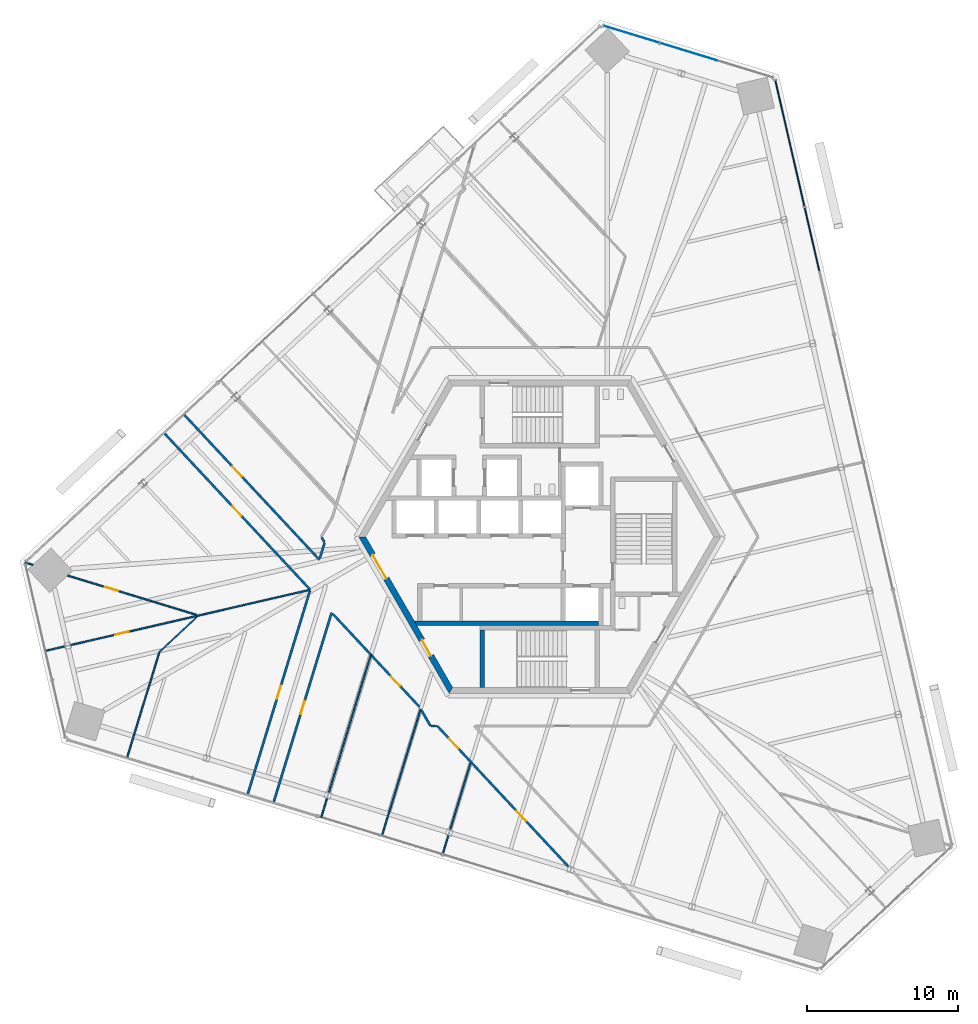
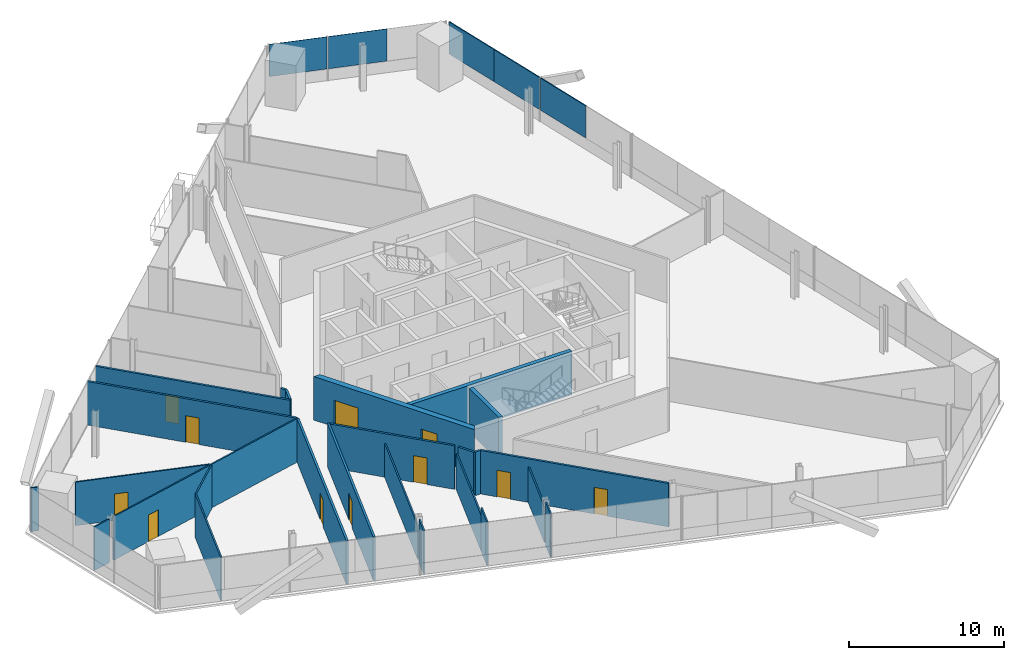
# One storey, part 11 of 18: 25 walls, 11 doors, 5 plates, 11 openings, 2 elements without a shape of their own.
"""IFC4 building model written with IfcOpenShell, lengths in metres."""

from ifc_helpers import new_model, si_unit, direction, frame, frame_2d, origin, origin_2d, place, context, subcontext, project, spatial, polyline, rectangle, outline, extrude, source, transform, mapped, material, layer, layer_set, type_object, element, fill, aggregate, save


model = new_model("IFC4")

# Units and contexts
model_context = context("Model", 3, precision=1e-05, world=origin(), true_north=direction((0.0, 1.0)))
body_context = subcontext(model_context, "Body", "Model", "MODEL_VIEW")
ifc_project = project(units=[si_unit("LENGTHUNIT", "METRE"), si_unit("AREAUNIT", "SQUARE_METRE"), si_unit("VOLUMEUNIT", "CUBIC_METRE"), si_unit("PLANEANGLEUNIT", "RADIAN"), si_unit("MASSUNIT", "GRAM", prefix="KILO")], contexts=[model_context])

# Site, building, storey
site_placement = place(None, origin())
site = spatial("IfcSite", under=ifc_project, at=site_placement, CompositionType="ELEMENT")
building_placement = place(site_placement, origin())
building = spatial("IfcBuilding", under=site, at=building_placement, Name="Triune Harvest Tower", CompositionType="ELEMENT")
storey_placement = place(building_placement, frame((0.0, 0.0, 101.89990234375)))
storey = spatial("IfcBuildingStorey", under=building, at=storey_placement, Name="L25", CompositionType="ELEMENT", Elevation=101.89990234375)

# Curtain wall, plates
ifc_material_1 = material(Name="Aluminium bronze anodised", Category="aluminium")
curtain_wall_type_1 = type_object("IfcCurtainWallType", Name="CW-1 Tower stick curtain wall", PredefinedType="NOTDEFINED", material=ifc_material_1)
curtain_wall_1_placement = place(storey_placement, origin())
curtain_wall_1 = element("IfcCurtainWall", 1, at=curtain_wall_1_placement, inside=storey, type_object=curtain_wall_type_1, Name="CW-1 B3-F2 L25 run 1")
ifc_material_2 = material(Name="Glass", Category="glass")
ifc_layer_1 = layer(ifc_material_2, 0.031982421875)
ifc_layer_set_1 = layer_set([ifc_layer_1], Name="Glass")
plate_type_1 = type_object("IfcPlateType", Name="GL-1 panel 32", PredefinedType="CURTAIN_PANEL", material=ifc_layer_set_1)
shared_shape_1 = source(origin(), body_context, "Body", "SweptSolid", [
    extrude(rectangle(XDim=3.911376953125, YDim=0.031982421875, at=origin_2d()), origin(), (0.0, 0.0, 1.0), 2.5400390625),
])
plate_1_placement = place(storey_placement, frame((9.851318359375, 32.15771484375, 0.900146484375), z_axis=(0.0, 0.0, 1.0), x_axis=(-0.956303148607, 0.292376962095, 0.0)))
plate_1 = element("IfcPlate", 2, at=plate_1_placement, type_object=plate_type_1, Name="CW-1 panel B3-F2 1.2", PredefinedType="CURTAIN_PANEL", context=body_context, shape_type="MappedRepresentation", body=[
    mapped(shared_shape_1, transform((0.0, 0.0, 0.0), scale=1.0)),
])
shared_shape_2 = source(origin(), body_context, "Body", "SweptSolid", [
    extrude(rectangle(XDim=3.83642578125, YDim=0.031982421875, at=origin_2d()), origin(), (0.0, 0.0, 1.0), 2.5400390625),
])
plate_2_placement = place(storey_placement, frame((6.07470703125, 33.312255859375, 0.900146484375), z_axis=(0.0, 0.0, 1.0), x_axis=(-0.956303148607, 0.292376962095, 0.0)))
plate_2 = element("IfcPlate", 3, at=plate_2_placement, type_object=plate_type_1, Name="CW-1 panel B3-F2 1.3", PredefinedType="CURTAIN_PANEL", context=body_context, shape_type="MappedRepresentation", body=[
    mapped(shared_shape_2, transform((0.0, 0.0, 0.0), scale=1.0)),
])
aggregate(curtain_wall_1, [plate_1, plate_2])

ifc_material_3 = material(Name="Aluminium bronze anodised", Category="aluminium")
curtain_wall_type_2 = type_object("IfcCurtainWallType", Name="CW-7 Tower stick curtain wall with insulated spandrel infill", PredefinedType="NOTDEFINED", material=ifc_material_3)
curtain_wall_2_placement = place(storey_placement, origin())
curtain_wall_2 = element("IfcCurtainWall", 4, at=curtain_wall_2_placement, inside=storey, type_object=curtain_wall_type_2, Name="CW-7 B3-F1 L25 run 2001")
ifc_material_4 = material(Name="Insulated spandrel panel, bronze aluminium pan", Category="aluminium")
ifc_layer_2 = layer(ifc_material_4, 0.080078125)
ifc_layer_set_2 = layer_set([ifc_layer_2], Name="Insulated spandrel panel, bronze aluminium pan")
plate_type_2 = type_object("IfcPlateType", Name="SP-1 insulated spandrel panel 80", PredefinedType="CURTAIN_PANEL", material=ifc_layer_set_2)
shared_shape_3 = source(origin(), body_context, "Body", "SweptSolid", [
    extrude(rectangle(XDim=4.263427734375, YDim=0.080078125, at=origin_2d()), origin(), (0.0, 0.0, 1.0), 2.5400390625),
])
plate_3_placement = place(storey_placement, frame((16.1005859375, 28.167236328125, 0.900146484375), z_axis=(0.0, 0.0, 1.0), x_axis=(-0.224950777946, 0.974370128597, 0.0)))
plate_3 = element("IfcPlate", 5, at=plate_3_placement, type_object=plate_type_2, Name="CW-7 panel B3-F1 2001.4", PredefinedType="CURTAIN_PANEL", context=body_context, shape_type="MappedRepresentation", body=[
    mapped(shared_shape_3, transform((0.0, 0.0, 0.0), scale=1.0)),
])
shared_shape_4 = source(origin(), body_context, "Body", "SweptSolid", [
    extrude(rectangle(XDim=4.30078125, YDim=0.080078125, at=origin_2d()), origin(), (0.0, 0.0, 1.0), 2.5400390625),
])
plate_4_placement = place(storey_placement, frame((18.04833984375, 19.731201171875, 0.900146484375), z_axis=(0.0, 0.0, 1.0), x_axis=(-0.224950777946, 0.974370128597, 0.0)))
plate_4 = element("IfcPlate", 6, at=plate_4_placement, type_object=plate_type_2, Name="CW-7 panel B3-F1 2001.2", PredefinedType="CURTAIN_PANEL", context=body_context, shape_type="MappedRepresentation", body=[
    mapped(shared_shape_4, transform((0.0, 0.0, 0.0), scale=1.0)),
])
plate_5_placement = place(storey_placement, frame((17.06396484375, 23.994873046875, 0.900146484375), z_axis=(0.0, 0.0, 1.0), x_axis=(-0.224950777946, 0.974370128597, 0.0)))
plate_5 = element("IfcPlate", 7, at=plate_5_placement, type_object=plate_type_2, Name="CW-7 panel B3-F1 2001.3", PredefinedType="CURTAIN_PANEL", context=body_context, shape_type="MappedRepresentation", body=[
    mapped(shared_shape_4, transform((0.0, 0.0, 0.0), scale=1.0)),
])
aggregate(curtain_wall_2, [plate_4, plate_5, plate_3])

# Walls
ifc_material_5 = material(Name="Gypsum board on steel studs", Category="steel")
ifc_layer_3 = layer(ifc_material_5, 0.14990234375)
ifc_layer_set_3 = layer_set([ifc_layer_3], Name="Gypsum board on steel studs")
wall_type_1 = type_object("IfcWallType", Name="Fire Partition 150 mm", PredefinedType="PARTITIONING", material=ifc_layer_set_3)
wall_1_placement = place(storey_placement, frame((-14.45751953125, -0.044189453125, 0.0), z_axis=(0.0, 0.0, 1.0), x_axis=(0.500016891966, -0.866015650984, 0.0)))
element("IfcWall", 8, at=wall_1_placement, inside=storey, type_object=wall_type_1, Name="Partition L25 001", PredefinedType="PARTITIONING", context=body_context, shape_type="SweptSolid", body=[
    extrude(rectangle(XDim=0.35888671875, YDim=0.14990234375, at=frame_2d((0.179443359375, 0.0))), origin(), (0.0, 0.0, 1.0), 3.440185546875),
])
wall_2_placement = place(storey_placement, frame((-7.837890625, -11.510498046875, 0.0), z_axis=(0.0, 0.0, 1.0), x_axis=(0.499953126767, -0.866052464367, 0.0)))
element("IfcWall", 9, at=wall_2_placement, inside=storey, type_object=wall_type_1, Name="Partition L25 002", PredefinedType="PARTITIONING", context=body_context, shape_type="SweptSolid", body=[
    extrude(rectangle(XDim=1.19091796875, YDim=0.14990234375, at=frame_2d((0.595458984375, 0.0))), origin(), (0.0, 0.0, 1.0), 3.440185546875),
])

# Wall, opening, door
wall_3_placement = place(storey_placement, frame((-24.90966796875, 6.8857421875, 0.0), z_axis=(0.0, 0.0, 1.0), x_axis=(0.681998855031, -0.731353240053, 0.0)))
wall_3 = element("IfcWall", 10, at=wall_3_placement, inside=storey, type_object=wall_type_1, Name="Partition L25 004", PredefinedType="PARTITIONING", context=body_context, shape_type="SweptSolid", body=[
    extrude(rectangle(XDim=14.1376953125, YDim=0.14990234375, at=frame_2d((7.06884765625, 0.0))), origin(), (0.0, 0.0, 1.0), 3.440185546875),
])
opening_1_placement = place(wall_3_placement, frame((6.650146484375, 0.0, 0.0)))
opening_1 = element("IfcOpeningElement", 11, at=opening_1_placement, cuts=wall_3, Name="Opening L25-009", PredefinedType="OPENING", context=body_context, shape_type="SweptSolid", body=[
    extrude(rectangle(XDim=0.89990234375, YDim=2.10009765625, at=frame_2d((0.449951171875, 1.050048828125))), frame((0.0, 0.0849609375, 0.0), z_axis=(0.0, -1.0, 0.0), x_axis=(1.0, 0.0, 0.0)), (0.0, 0.0, 1.0), 0.169921875),
])
ifc_material_6 = material(Name="Timber and steel door set", Category="steel")
door_type_1 = type_object("IfcDoorType", Name="Single leaf door FD30 right hand 900 x 2100", OperationType="SINGLE_SWING_RIGHT", PredefinedType="DOOR", material=ifc_material_6)
door_1_placement = place(opening_1_placement, origin())
door_1 = element("IfcDoor", 12, at=door_1_placement, inside=storey, type_object=door_type_1, Name="Door L25-009 Office 25.09", OperationType="SINGLE_SWING_RIGHT", OverallHeight=2.10009765625, OverallWidth=0.89990234375, PredefinedType="DOOR", context=body_context, shape_type="SweptSolid", body=[
    extrude(rectangle(XDim=0.89990234375, YDim=2.10009765625, at=frame_2d((0.449951171875, 1.050048828125))), frame((0.0, 0.02490234375, 0.0), z_axis=(0.0, -1.0, 0.0), x_axis=(1.0, 0.0, 0.0)), (0.0, 0.0, 1.0), 0.050048828125),
])
fill(opening_1, door_1)

wall_4_placement = place(storey_placement, frame((-13.720947265625, -5.112548828125, 0.0), z_axis=(0.0, 0.0, 1.0), x_axis=(0.681992187494, -0.731359457583, 0.0)))
wall_4 = element("IfcWall", 13, at=wall_4_placement, inside=storey, type_object=wall_type_1, Name="Partition L25 005", PredefinedType="PARTITIONING", context=body_context, shape_type="SweptSolid", body=[
    extrude(rectangle(XDim=8.431884765625, YDim=0.14990234375, at=frame_2d((4.2158203125, 0.0))), origin(), (0.0, 0.0, 1.0), 3.440185546875),
])
opening_2_placement = place(wall_4_placement, frame((5.6591796875, 0.0, 0.0)))
opening_2 = element("IfcOpeningElement", 14, at=opening_2_placement, cuts=wall_4, Name="Opening L25-015", PredefinedType="OPENING", context=body_context, shape_type="SweptSolid", body=[
    extrude(rectangle(XDim=0.89990234375, YDim=2.10009765625, at=frame_2d((0.449951171875, 1.050048828125))), frame((0.0, 0.0849609375, 0.0), z_axis=(0.0, -1.0, 0.0), x_axis=(1.0, 0.0, 0.0)), (0.0, 0.0, 1.0), 0.169921875),
])
ifc_material_7 = material(Name="Timber and steel door set", Category="steel")
door_type_2 = type_object("IfcDoorType", Name="Single leaf door FD30 left hand 900 x 2100", OperationType="SINGLE_SWING_LEFT", PredefinedType="DOOR", material=ifc_material_7)
door_2_placement = place(opening_2_placement, origin())
door_2 = element("IfcDoor", 15, at=door_2_placement, inside=storey, type_object=door_type_2, Name="Door L25-015 Phone room 25.15", OperationType="SINGLE_SWING_LEFT", OverallHeight=2.10009765625, OverallWidth=0.89990234375, PredefinedType="DOOR", context=body_context, shape_type="SweptSolid", body=[
    extrude(rectangle(XDim=0.89990234375, YDim=2.10009765625, at=frame_2d((0.449951171875, 1.050048828125))), frame((0.0, 0.02490234375, 0.0), z_axis=(0.0, -1.0, 0.0), x_axis=(1.0, 0.0, 0.0)), (0.0, 0.0, 1.0), 0.050048828125),
])
fill(opening_2, door_2)

# Wall, openings, doors
wall_5_placement = place(storey_placement, frame((-6.792724609375, -12.542236328125, 0.0), z_axis=(0.0, 0.0, 1.0), x_axis=(0.681995194953, -0.731356653119, 0.0)))
wall_5 = element("IfcWall", 16, at=wall_5_placement, inside=storey, type_object=wall_type_1, Name="Partition L25 006", PredefinedType="PARTITIONING", context=body_context, shape_type="SweptSolid", body=[
    extrude(rectangle(XDim=12.765625, YDim=0.14990234375, at=frame_2d((6.3828125, 0.0))), origin(), (0.0, 0.0, 1.0), 3.440185546875),
])
opening_3_placement = place(wall_5_placement, frame((1.14990234375, 0.0, 0.0)))
opening_3 = element("IfcOpeningElement", 17, at=opening_3_placement, cuts=wall_5, Name="Opening L25-016", PredefinedType="OPENING", context=body_context, shape_type="SweptSolid", body=[
    extrude(rectangle(XDim=0.89990234375, YDim=2.10009765625, at=frame_2d((0.449951171875, 1.050048828125))), frame((0.0, 0.0849609375, 0.0), z_axis=(0.0, -1.0, 0.0), x_axis=(1.0, 0.0, 0.0)), (0.0, 0.0, 1.0), 0.169921875),
])
opening_4_placement = place(wall_5_placement, frame((7.71630859375, 0.0, 0.0)))
opening_4 = element("IfcOpeningElement", 18, at=opening_4_placement, cuts=wall_5, Name="Opening L25-017", PredefinedType="OPENING", context=body_context, shape_type="SweptSolid", body=[
    extrude(rectangle(XDim=0.89990234375, YDim=2.10009765625, at=frame_2d((0.449951171875, 1.050048828125))), frame((0.0, 0.0849609375, 0.0), z_axis=(0.0, -1.0, 0.0), x_axis=(1.0, 0.0, 0.0)), (0.0, 0.0, 1.0), 0.169921875),
])
door_3_placement = place(opening_4_placement, origin())
door_3 = element("IfcDoor", 19, at=door_3_placement, inside=storey, type_object=door_type_2, Name="Door L25-017 Open Office 25.17", OperationType="SINGLE_SWING_LEFT", OverallHeight=2.10009765625, OverallWidth=0.89990234375, PredefinedType="DOOR", context=body_context, shape_type="SweptSolid", body=[
    extrude(rectangle(XDim=0.89990234375, YDim=2.10009765625, at=frame_2d((0.449951171875, 1.050048828125))), frame((0.0, 0.02490234375, 0.0), z_axis=(0.0, -1.0, 0.0), x_axis=(1.0, 0.0, 0.0)), (0.0, 0.0, 1.0), 0.050048828125),
])
fill(opening_4, door_3)
door_4_placement = place(opening_3_placement, origin())
door_4 = element("IfcDoor", 20, at=door_4_placement, inside=storey, type_object=door_type_1, Name="Door L25-016 Meeting Room 25.16", OperationType="SINGLE_SWING_RIGHT", OverallHeight=2.10009765625, OverallWidth=0.89990234375, PredefinedType="DOOR", context=body_context, shape_type="SweptSolid", body=[
    extrude(rectangle(XDim=0.89990234375, YDim=2.10009765625, at=frame_2d((0.449951171875, 1.050048828125))), frame((0.0, 0.02490234375, 0.0), z_axis=(0.0, -1.0, 0.0), x_axis=(1.0, 0.0, 0.0)), (0.0, 0.0, 1.0), 0.050048828125),
])
fill(opening_3, door_4)

# Wall
wall_6_placement = place(storey_placement, frame((-7.19140625, -12.542236328125, 0.0), z_axis=(0.0, 0.0, 1.0), x_axis=(1.0, 0.0, 0.0)))
element("IfcWall", 21, at=wall_6_placement, inside=storey, type_object=wall_type_1, Name="Partition L25 027", PredefinedType="PARTITIONING", context=body_context, shape_type="SweptSolid", body=[
    extrude(rectangle(XDim=0.358642578125, YDim=0.14990234375, at=frame_2d((0.17919921875, 0.0))), origin(), (0.0, 0.0, 1.0), 3.440185546875),
])

# Wall, opening, door
wall_7_placement = place(storey_placement, frame((-19.3701171875, -17.1083984375, 0.0), z_axis=(0.0, 0.0, 1.0), x_axis=(0.292369458682, 0.956305442644, 0.0)))
wall_7 = element("IfcWall", 22, at=wall_7_placement, inside=storey, type_object=wall_type_1, Name="Partition L25 048", PredefinedType="PARTITIONING", context=body_context, shape_type="SweptSolid", body=[
    extrude(rectangle(XDim=14.13720703125, YDim=0.14990234375, at=frame_2d((7.068603515625, 0.0))), origin(), (0.0, 0.0, 1.0), 3.440185546875),
])
opening_5_placement = place(wall_7_placement, frame((6.66748046875, 0.0, 0.0)))
opening_5 = element("IfcOpeningElement", 23, at=opening_5_placement, cuts=wall_7, Name="Opening L25-013", PredefinedType="OPENING", context=body_context, shape_type="SweptSolid", body=[
    extrude(rectangle(XDim=0.89990234375, YDim=2.10009765625, at=frame_2d((0.449951171875, 1.050048828125))), frame((0.0, 0.0849609375, 0.0), z_axis=(0.0, -1.0, 0.0), x_axis=(1.0, 0.0, 0.0)), (0.0, 0.0, 1.0), 0.169921875),
])
door_5_placement = place(opening_5_placement, origin())
door_5 = element("IfcDoor", 24, at=door_5_placement, inside=storey, type_object=door_type_1, Name="Door L25-013 Office 25.13", OperationType="SINGLE_SWING_RIGHT", OverallHeight=2.10009765625, OverallWidth=0.89990234375, PredefinedType="DOOR", context=body_context, shape_type="SweptSolid", body=[
    extrude(rectangle(XDim=0.89990234375, YDim=2.10009765625, at=frame_2d((0.449951171875, 1.050048828125))), frame((0.0, 0.02490234375, 0.0), z_axis=(0.0, -1.0, 0.0), x_axis=(1.0, 0.0, 0.0)), (0.0, 0.0, 1.0), 0.050048828125),
])
fill(opening_5, door_5)

# Walls
wall_8_placement = place(storey_placement, frame((-14.573486328125, -1.4189453125, 0.0), z_axis=(0.0, 0.0, 1.0), x_axis=(0.292414181243, 0.956291768556, 0.0)))
element("IfcWall", 25, at=wall_8_placement, inside=storey, type_object=wall_type_1, Name="Partition L25 049", PredefinedType="PARTITIONING", context=body_context, shape_type="SweptSolid", body=[
    extrude(rectangle(XDim=1.077880859375, YDim=0.14990234375, at=frame_2d((0.5390625, 0.0))), origin(), (0.0, 0.0, 1.0), 3.440185546875),
])
ifc_material_8 = material(Name="Gypsum board on steel studs", Category="steel")
ifc_layer_4 = layer(ifc_material_8, 0.10009765625)
ifc_layer_set_4 = layer_set([ifc_layer_4], Name="Gypsum board on steel studs")
wall_type_2 = type_object("IfcWallType", Name="Partition 100 mm", PredefinedType="PARTITIONING", material=ifc_layer_set_4)
wall_9_placement = place(storey_placement, frame((-34.12353515625, -1.70654296875, 0.0), z_axis=(0.0, 0.0, 1.0), x_axis=(0.956379013247, -0.292128709684, 0.0)))
element("IfcWall", 26, at=wall_9_placement, inside=storey, type_object=wall_type_2, Name="Partition L25 023", PredefinedType="PARTITIONING", context=body_context, shape_type="SweptSolid", body=[
    extrude(rectangle(XDim=0.552490234375, YDim=0.10009765625, at=frame_2d((0.2763671875, 0.0))), origin(), (0.0, 0.0, 1.0), 3.440185546875),
])

# Wall, opening, door
wall_10_placement = place(storey_placement, frame((-31.298095703125, -2.5703125, 0.0), z_axis=(0.0, 0.0, 1.0), x_axis=(0.956306954014, -0.292364515126, 0.0)))
wall_10 = element("IfcWall", 27, at=wall_10_placement, inside=storey, type_object=wall_type_2, Name="Partition L25 024", PredefinedType="PARTITIONING", context=body_context, shape_type="SweptSolid", body=[
    extrude(rectangle(XDim=8.922607421875, YDim=0.10009765625, at=frame_2d((4.46142578125, 0.0))), origin(), (0.0, 0.0, 1.0), 3.440185546875),
])
opening_6_placement = place(wall_10_placement, frame((2.595703125, 0.0, 0.0)))
opening_6 = element("IfcOpeningElement", 28, at=opening_6_placement, cuts=wall_10, Name="Opening L25-011", PredefinedType="OPENING", context=body_context, shape_type="SweptSolid", body=[
    extrude(rectangle(XDim=0.89990234375, YDim=2.10009765625, at=frame_2d((0.449951171875, 1.050048828125))), frame((0.0, 0.06005859375, 0.0), z_axis=(0.0, -1.0, 0.0), x_axis=(1.0, 0.0, 0.0)), (0.0, 0.0, 1.0), 0.1201171875),
])
ifc_material_9 = material(Name="Timber and steel door set", Category="steel")
door_type_3 = type_object("IfcDoorType", Name="Single leaf door right hand 900 x 2100", OperationType="SINGLE_SWING_RIGHT", PredefinedType="DOOR", material=ifc_material_9)
door_6_placement = place(opening_6_placement, origin())
door_6 = element("IfcDoor", 29, at=door_6_placement, inside=storey, type_object=door_type_3, Name="Door L25-011 Pantry 25.11", OperationType="SINGLE_SWING_RIGHT", OverallHeight=2.10009765625, OverallWidth=0.89990234375, PredefinedType="DOOR", context=body_context, shape_type="SweptSolid", body=[
    extrude(rectangle(XDim=0.89990234375, YDim=2.10009765625, at=frame_2d((0.449951171875, 1.050048828125))), frame((0.0, 0.02490234375, 0.0), z_axis=(0.0, -1.0, 0.0), x_axis=(1.0, 0.0, 0.0)), (0.0, 0.0, 1.0), 0.050048828125),
])
fill(opening_6, door_6)

wall_11_placement = place(storey_placement, frame((-31.115234375, -7.18359375, 0.0), z_axis=(0.0, 0.0, 1.0), x_axis=(0.974367994978, 0.224960019475, 0.0)))
wall_11 = element("IfcWall", 30, at=wall_11_placement, inside=storey, type_object=wall_type_2, Name="Partition L25 031", PredefinedType="PARTITIONING", context=body_context, shape_type="SweptSolid", body=[
    extrude(rectangle(XDim=16.320068359375, YDim=0.10009765625, at=frame_2d((8.16015625, 0.0))), origin(), (0.0, 0.0, 1.0), 3.440185546875),
])
opening_7_placement = place(wall_11_placement, frame((3.05078125, 0.0, 0.0)))
opening_7 = element("IfcOpeningElement", 31, at=opening_7_placement, cuts=wall_11, Name="Opening L25-012", PredefinedType="OPENING", context=body_context, shape_type="SweptSolid", body=[
    extrude(rectangle(XDim=0.89990234375, YDim=2.10009765625, at=frame_2d((0.449951171875, 1.050048828125))), frame((0.0, 0.06005859375, 0.0), z_axis=(0.0, -1.0, 0.0), x_axis=(1.0, 0.0, 0.0)), (0.0, 0.0, 1.0), 0.1201171875),
])
door_7_placement = place(opening_7_placement, origin())
door_7 = element("IfcDoor", 32, at=door_7_placement, inside=storey, type_object=door_type_3, Name="Door L25-012 Reception 25.12", OperationType="SINGLE_SWING_RIGHT", OverallHeight=2.10009765625, OverallWidth=0.89990234375, PredefinedType="DOOR", context=body_context, shape_type="SweptSolid", body=[
    extrude(rectangle(XDim=0.89990234375, YDim=2.10009765625, at=frame_2d((0.449951171875, 1.050048828125))), frame((0.0, 0.02490234375, 0.0), z_axis=(0.0, -1.0, 0.0), x_axis=(1.0, 0.0, 0.0)), (0.0, 0.0, 1.0), 0.050048828125),
])
fill(opening_7, door_7)

# Walls
wall_12_placement = place(storey_placement, frame((-25.21240234375, -7.63818359375, 0.0), z_axis=(0.0, 0.0, 1.0), x_axis=(0.731363961724, 0.681987357281, 0.0)))
element("IfcWall", 33, at=wall_12_placement, inside=storey, type_object=wall_type_2, Name="Partition L25 034", PredefinedType="PARTITIONING", context=body_context, shape_type="SweptSolid", body=[
    extrude(rectangle(XDim=3.391845703125, YDim=0.10009765625, at=frame_2d((1.69580078125, 0.0))), origin(), (0.0, 0.0, 1.0), 3.440185546875),
])
wall_13_placement = place(storey_placement, frame((-10.462646484375, -19.831787109375, 0.0), z_axis=(0.0, 0.0, 1.0), x_axis=(0.292329881005, 0.956317541757, 0.0)))
element("IfcWall", 34, at=wall_13_placement, inside=storey, type_object=wall_type_2, Name="Partition L25 042", PredefinedType="PARTITIONING", context=body_context, shape_type="SweptSolid", body=[
    extrude(rectangle(XDim=1.671142578125, YDim=0.10009765625, at=frame_2d((0.83544921875, 0.0))), origin(), (0.0, 0.0, 1.0), 3.440185546875),
])
wall_14_placement = place(storey_placement, frame((-9.97412109375, -18.233642578125, 0.0), z_axis=(0.0, 0.0, 1.0), x_axis=(0.292378668851, 0.956302626788, 0.0)))
element("IfcWall", 35, at=wall_14_placement, inside=storey, type_object=wall_type_2, Name="Partition L25 042a", PredefinedType="PARTITIONING", context=body_context, shape_type="SweptSolid", body=[
    extrude(rectangle(XDim=7.126953125, YDim=0.10009765625, at=frame_2d((3.5634765625, 0.0))), origin(), (0.0, 0.0, 1.0), 2.827880859375),
])
wall_15_placement = place(storey_placement, frame((-27.36083984375, -14.66552734375, 0.0), z_axis=(0.0, 0.0, 1.0), x_axis=(0.292367088392, 0.956306167305, 0.0)))
element("IfcWall", 36, at=wall_15_placement, inside=storey, type_object=wall_type_2, Name="Partition L25 052", PredefinedType="PARTITIONING", context=body_context, shape_type="SweptSolid", body=[
    extrude(rectangle(XDim=7.348388671875, YDim=0.10009765625, at=frame_2d((3.67431640625, 0.0))), origin(), (0.0, 0.0, 1.0), 3.440185546875),
])

# Wall, openings, doors
ifc_material_10 = material(Name="Concrete 70 MPa", Category="concrete")
ifc_layer_5 = layer(ifc_material_10, 0.39990234375)
ifc_layer_set_5 = layer_set([ifc_layer_5], Name="Concrete 70 MPa")
wall_type_3 = type_object("IfcWallType", Name="Core wall 400", PredefinedType="SHEAR", material=ifc_layer_set_5)
shared_shape_5 = source(origin(), body_context, "Body", "SweptSolid", [
    extrude(outline(polyline([(-0.115478515625, -0.199951171875), (11.884521484375, -0.199951171875), (11.653564453125, 0.199951171875), (0.115478515625, 0.199951171875), (-0.115478515625, -0.199951171875)])), origin(), (0.0, 0.0, 1.0), 3.440185546875),
])
wall_16_placement = place(storey_placement, frame((-11.76904296875, 0.0, 0.0), z_axis=(0.0, 0.0, 1.0), x_axis=(0.499996592174, -0.866027371285, 0.0)))
wall_16 = element("IfcWall", 37, at=wall_16_placement, inside=storey, type_object=wall_type_3, Name="Hexagon 3 wall", PredefinedType="SHEAR", context=body_context, shape_type="MappedRepresentation", body=[
    mapped(shared_shape_5, transform((0.0, 0.0, 0.0), scale=1.0)),
])
opening_8_placement = place(wall_16_placement, frame((1.404541015625, 0.0, 0.0)))
opening_8 = element("IfcOpeningElement", 38, at=opening_8_placement, cuts=wall_16, Name="Opening CD-LS", PredefinedType="OPENING", context=body_context, shape_type="SweptSolid", body=[
    extrude(rectangle(XDim=1.800048828125, YDim=2.10009765625, at=frame_2d((0.89990234375, 1.050048828125))), frame((0.0, 0.2099609375, 0.0), z_axis=(0.0, -1.0, 0.0), x_axis=(1.0, 0.0, 0.0)), (0.0, 0.0, 1.0), 0.419921875),
])
opening_9_placement = place(wall_16_placement, frame((7.91455078125, 0.0, 0.0)))
opening_9 = element("IfcOpeningElement", 39, at=opening_9_placement, cuts=wall_16, Name="Opening CD-SWP", PredefinedType="OPENING", context=body_context, shape_type="SweptSolid", body=[
    extrude(rectangle(XDim=1.199951171875, YDim=2.10009765625, at=frame_2d((0.60009765625, 1.050048828125))), frame((0.0, 0.2099609375, 0.0), z_axis=(0.0, -1.0, 0.0), x_axis=(1.0, 0.0, 0.0)), (0.0, 0.0, 1.0), 0.419921875),
])
ifc_material_11 = material(Name="Steel S235", Category="steel")
door_type_4 = type_object("IfcDoorType", Name="Lobby door 1800 FD120", OperationType="DOUBLE_DOOR_DOUBLE_SWING", PredefinedType="DOOR", material=ifc_material_11)
door_8_placement = place(opening_8_placement, frame((1.800048828125, 0.0, 0.0), z_axis=(0.0, 0.0, 1.0), x_axis=(-1.0, 0.0, 0.0)))
door_8 = element("IfcDoor", 40, at=door_8_placement, inside=storey, type_object=door_type_4, Name="Door CD-LS", OperationType="DOUBLE_DOOR_DOUBLE_SWING", OverallHeight=2.10009765625, OverallWidth=1.800048828125, PredefinedType="DOOR", context=body_context, shape_type="SweptSolid", body=[
    extrude(rectangle(XDim=1.800048828125, YDim=2.10009765625, at=frame_2d((0.89990234375, 1.050048828125))), frame((0.0, 0.02490234375, 0.0), z_axis=(0.0, -1.0, 0.0), x_axis=(1.0, 0.0, 0.0)), (0.0, 0.0, 1.0), 0.050048828125),
])
fill(opening_8, door_8)
ifc_material_12 = material(Name="Steel S235", Category="steel")
door_type_5 = type_object("IfcDoorType", Name="Service door 1200 FD120", OperationType="SINGLE_SWING_LEFT", PredefinedType="DOOR", material=ifc_material_12)
door_9_placement = place(opening_9_placement, frame((1.199951171875, 0.0, 0.0), z_axis=(0.0, 0.0, 1.0), x_axis=(-1.0, 0.0, 0.0)))
door_9 = element("IfcDoor", 41, at=door_9_placement, inside=storey, type_object=door_type_5, Name="Door CD-SWP", OperationType="SINGLE_SWING_RIGHT", OverallHeight=2.10009765625, OverallWidth=1.199951171875, PredefinedType="DOOR", context=body_context, shape_type="SweptSolid", body=[
    extrude(rectangle(XDim=1.199951171875, YDim=2.10009765625, at=frame_2d((0.60009765625, 1.050048828125))), frame((0.0, 0.02490234375, 0.0), z_axis=(0.0, -1.0, 0.0), x_axis=(1.0, 0.0, 0.0)), (0.0, 0.0, 1.0), 0.050048828125),
])
fill(opening_9, door_9)

# Walls
ifc_material_13 = material(Name="Concrete 70 MPa", Category="concrete")
ifc_layer_6 = layer(ifc_material_13, 0.300048828125)
ifc_layer_set_6 = layer_set([ifc_layer_6], Name="Concrete 70 MPa")
wall_type_4 = type_object("IfcWallType", Name="Core wall 300", PredefinedType="SHEAR", material=ifc_layer_set_6)
shared_shape_6 = source(origin(), body_context, "Body", "SweptSolid", [
    extrude(outline(polyline([(12.0, -0.14990234375), (-0.039794921875, -0.14990234375), (-0.212890625, 0.14990234375), (12.0, 0.14990234375), (12.0, -0.14990234375)])), origin(), (0.0, 0.0, 1.0), 3.440185546875),
])
wall_17_placement = place(storey_placement, frame((-8.10009765625, -5.739990234375, 0.0), z_axis=(0.0, 0.0, 1.0), x_axis=(1.0, 0.0, 0.0)))
element("IfcWall", 42, at=wall_17_placement, inside=storey, type_object=wall_type_4, Name="South back wall", PredefinedType="SHEAR", context=body_context, shape_type="MappedRepresentation", body=[
    mapped(shared_shape_6, transform((0.0, 0.0, 0.0), scale=1.0)),
])
shared_shape_7 = source(origin(), body_context, "Body", "SweptSolid", [
    extrude(outline(polyline([(3.800048828125, -0.14990234375), (-0.00439453125, -0.14990234375), (-0.00439453125, 0.14990234375), (3.800048828125, 0.14990234375), (3.800048828125, -0.14990234375)])), origin(), (0.0, 0.0, 1.0), 3.440185546875),
])
wall_18_placement = place(storey_placement, frame((-3.800048828125, -9.989990234375, 0.0), z_axis=(0.0, 0.0, 1.0), x_axis=(0.0, 1.0, 0.0)))
element("IfcWall", 43, at=wall_18_placement, inside=storey, type_object=wall_type_4, Name="Stair s west wall", PredefinedType="SHEAR", context=body_context, shape_type="MappedRepresentation", body=[
    mapped(shared_shape_7, transform((0.0, 0.0, 0.0), scale=1.0)),
])

# Wall, opening, door
shared_shape_8 = source(origin(), body_context, "Body", "SweptSolid", [
    extrude(rectangle(XDim=13.17822265625, YDim=0.14990234375, at=frame_2d((6.589111328125, 0.0))), origin(), (0.0, 0.0, 1.0), 3.440185546875),
])
wall_19_placement = place(storey_placement, frame((-23.59326171875, 8.11328125, 0.0), z_axis=(0.0, 0.0, 1.0), x_axis=(0.681999370249, -0.731352759604, 0.0)))
wall_19 = element("IfcWall", 44, at=wall_19_placement, inside=storey, type_object=wall_type_1, Name="Partition L25 008", PredefinedType="PARTITIONING", context=body_context, shape_type="MappedRepresentation", body=[
    mapped(shared_shape_8, transform((0.0, 0.0, 0.0), scale=1.0)),
])
opening_10_placement = place(wall_19_placement, frame((4.7314453125, 0.0, 0.0)))
opening_10 = element("IfcOpeningElement", 45, at=opening_10_placement, cuts=wall_19, Name="Opening L25-010", PredefinedType="OPENING", context=body_context, shape_type="SweptSolid", body=[
    extrude(rectangle(XDim=0.89990234375, YDim=2.10009765625, at=frame_2d((0.449951171875, 1.050048828125))), frame((0.0, 0.0849609375, 0.0), z_axis=(0.0, -1.0, 0.0), x_axis=(1.0, 0.0, 0.0)), (0.0, 0.0, 1.0), 0.169921875),
])
door_10_placement = place(opening_10_placement, origin())
door_10 = element("IfcDoor", 46, at=door_10_placement, inside=storey, type_object=door_type_2, Name="Door L25-010 Office 25.10", OperationType="SINGLE_SWING_LEFT", OverallHeight=2.10009765625, OverallWidth=0.89990234375, PredefinedType="DOOR", context=body_context, shape_type="SweptSolid", body=[
    extrude(rectangle(XDim=0.89990234375, YDim=2.10009765625, at=frame_2d((0.449951171875, 1.050048828125))), frame((0.0, 0.02490234375, 0.0), z_axis=(0.0, -1.0, 0.0), x_axis=(1.0, 0.0, 0.0)), (0.0, 0.0, 1.0), 0.050048828125),
])
fill(opening_10, door_10)

wall_20_placement = place(storey_placement, frame((-17.64892578125, -17.634521484375, 0.0), z_axis=(0.0, 0.0, 1.0), x_axis=(0.292379971882, 0.9563022284, 0.0)))
wall_20 = element("IfcWall", 47, at=wall_20_placement, inside=storey, type_object=wall_type_1, Name="Partition L25 045", PredefinedType="PARTITIONING", context=body_context, shape_type="MappedRepresentation", body=[
    mapped(shared_shape_8, transform((0.0, 0.0, 0.0), scale=1.0)),
])
opening_11_placement = place(wall_20_placement, frame((6.14990234375, 0.0, 0.0)))
opening_11 = element("IfcOpeningElement", 48, at=opening_11_placement, cuts=wall_20, Name="Opening L25-014", PredefinedType="OPENING", context=body_context, shape_type="SweptSolid", body=[
    extrude(rectangle(XDim=0.89990234375, YDim=2.10009765625, at=frame_2d((0.449951171875, 1.050048828125))), frame((0.0, 0.0849609375, 0.0), z_axis=(0.0, -1.0, 0.0), x_axis=(1.0, 0.0, 0.0)), (0.0, 0.0, 1.0), 0.169921875),
])
door_11_placement = place(opening_11_placement, origin())
door_11 = element("IfcDoor", 49, at=door_11_placement, inside=storey, type_object=door_type_2, Name="Door L25-014 Meeting Room 25.14", OperationType="SINGLE_SWING_LEFT", OverallHeight=2.10009765625, OverallWidth=0.89990234375, PredefinedType="DOOR", context=body_context, shape_type="SweptSolid", body=[
    extrude(rectangle(XDim=0.89990234375, YDim=2.10009765625, at=frame_2d((0.449951171875, 1.050048828125))), frame((0.0, 0.02490234375, 0.0), z_axis=(0.0, -1.0, 0.0), x_axis=(1.0, 0.0, 0.0)), (0.0, 0.0, 1.0), 0.050048828125),
])
fill(opening_11, door_11)

# Walls
shared_shape_9 = source(origin(), body_context, "Body", "SweptSolid", [
    extrude(rectangle(XDim=1.338134765625, YDim=0.10009765625, at=frame_2d((0.6689453125, 0.0))), origin(), (0.0, 0.0, 1.0), 3.440185546875),
])
for number, where, z_axis, x_axis, name in (
    (50, (-32.770751953125, -7.56591796875, 0.0), (0.0, 0.0, 1.0), (0.974363511026, 0.224979439906, 0.0), "Partition L25 030"),
    (51, (-6.43896484375, -21.06201171875, 0.0), (0.0, 0.0, 1.0), (0.29226488494, 0.956337407525, 0.0), "Partition L25 039"),
):
    element("IfcWall", number, at=place(storey_placement, frame(where, z_axis=z_axis, x_axis=x_axis)), inside=storey, type_object=wall_type_2, Name=name, PredefinedType="PARTITIONING", context=body_context, shape_type="MappedRepresentation", body=[
        mapped(shared_shape_9, transform((0.0, 0.0, 0.0), scale=1.0)),
    ])
shared_shape_10 = source(origin(), body_context, "Body", "SweptSolid", [
    extrude(rectangle(XDim=4.62158203125, YDim=0.10009765625, at=frame_2d((2.310791015625, 0.0))), origin(), (0.0, 0.0, 1.0), 2.827880859375),
])
wall_21_placement = place(storey_placement, frame((-5.942138671875, -19.43701171875, 0.0), z_axis=(0.0, 0.0, 1.0), x_axis=(0.292340663711, 0.956314245602, 0.0)))
element("IfcWall", 52, at=wall_21_placement, inside=storey, type_object=wall_type_2, Name="Partition L25 040", PredefinedType="PARTITIONING", context=body_context, shape_type="MappedRepresentation", body=[
    mapped(shared_shape_10, transform((0.0, 0.0, 0.0), scale=1.0)),
])
shared_shape_11 = source(origin(), body_context, "Body", "SweptSolid", [
    extrude(rectangle(XDim=1.33837890625, YDim=0.10009765625, at=frame_2d((0.669189453125, 0.0))), origin(), (0.0, 0.0, 1.0), 3.440185546875),
])
wall_22_placement = place(storey_placement, frame((-14.486083984375, -18.601806640625, 0.0), z_axis=(0.0, 0.0, 1.0), x_axis=(0.292431725513, 0.956286403706, 0.0)))
element("IfcWall", 53, at=wall_22_placement, inside=storey, type_object=wall_type_2, Name="Partition L25 043", PredefinedType="PARTITIONING", context=body_context, shape_type="MappedRepresentation", body=[
    mapped(shared_shape_11, transform((0.0, 0.0, 0.0), scale=1.0)),
])
shared_shape_12 = source(origin(), body_context, "Body", "SweptSolid", [
    extrude(rectangle(XDim=9.56982421875, YDim=0.10009765625, at=frame_2d((4.784912109375, 0.0))), origin(), (0.0, 0.0, 1.0), 2.68310546875),
])
wall_23_placement = place(storey_placement, frame((-13.9892578125, -16.976806640625, 0.0), z_axis=(0.0, 0.0, 1.0), x_axis=(0.292364364926, 0.956306999933, 0.0)))
element("IfcWall", 54, at=wall_23_placement, inside=storey, type_object=wall_type_2, Name="Partition L25 044", PredefinedType="PARTITIONING", context=body_context, shape_type="MappedRepresentation", body=[
    mapped(shared_shape_12, transform((0.0, 0.0, 0.0), scale=1.0)),
])

save(model, "model.ifc")
